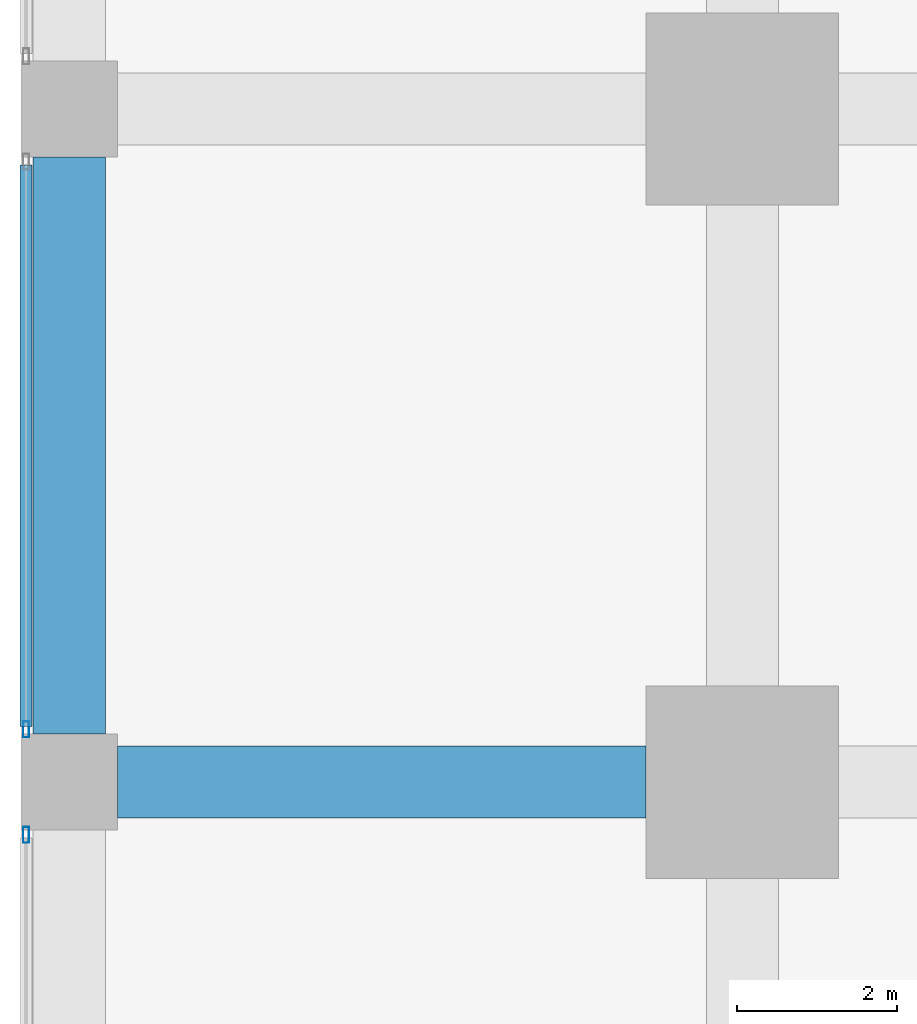
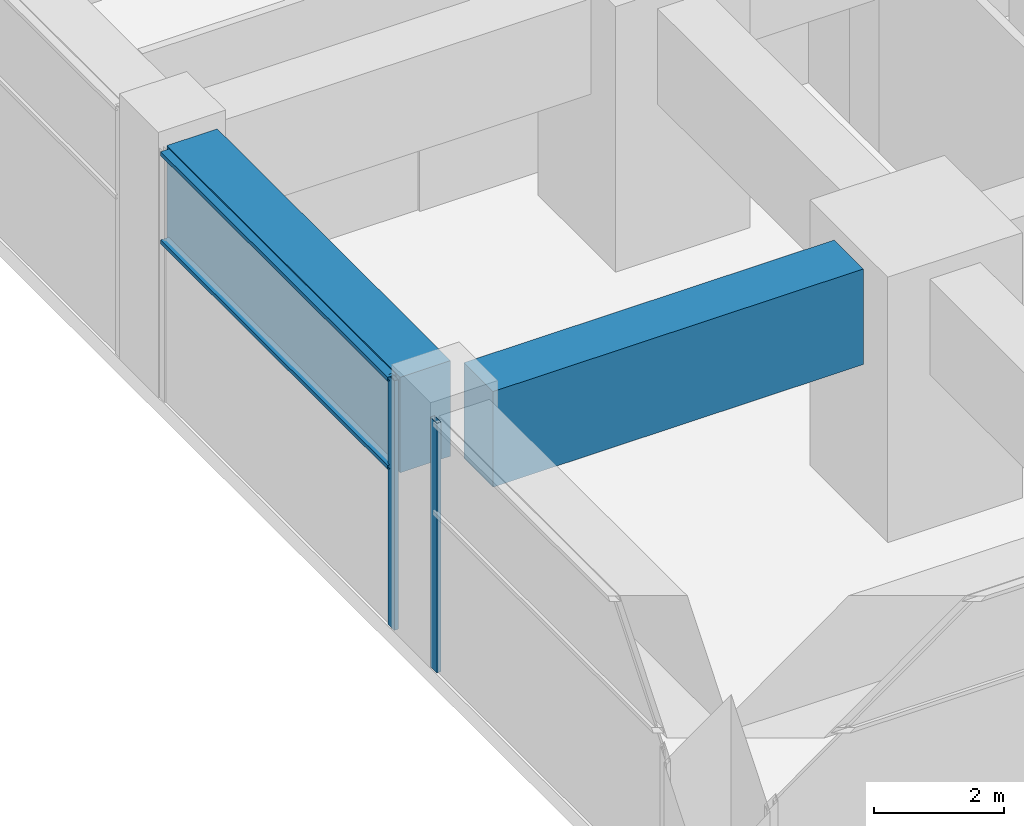
# One storey, part 5 of 49: 4 members, 2 beams, 2 elements without a shape of their own.
"""IFC4 building model written with IfcOpenShell, lengths in metres."""

from ifc_helpers import new_model, si_unit, direction, frame, origin, origin_2d, place, context, subcontext, project, spatial, rectangle, hollow_rectangle, extrude, material, material_profile, profile_set, type_object, element, aggregate, save


model = new_model("IFC4")

# Units and contexts
model_context = context("Model", 3, precision=1e-05, world=origin(), true_north=direction((0.0, 1.0)))
body_context = subcontext(model_context, "Body", "Model", "MODEL_VIEW")
ifc_project = project(units=[si_unit("LENGTHUNIT", "METRE"), si_unit("AREAUNIT", "SQUARE_METRE"), si_unit("VOLUMEUNIT", "CUBIC_METRE"), si_unit("PLANEANGLEUNIT", "RADIAN"), si_unit("MASSUNIT", "GRAM", prefix="KILO")], contexts=[model_context])

# Site, building, storey
site_placement = place(None, origin())
site = spatial("IfcSite", under=ifc_project, at=site_placement, CompositionType="ELEMENT")
building_placement = place(site_placement, origin())
building = spatial("IfcBuilding", under=site, at=building_placement, Name="Rekha Terrace Tower", CompositionType="ELEMENT")
storey_placement = place(building_placement, frame((0.0, 0.0, 5.39990234375)))
storey = spatial("IfcBuildingStorey", under=building, at=storey_placement, Name="L01", CompositionType="ELEMENT", Elevation=5.39990234375)

# Curtain wall, member
ifc_material_1 = material(Name="Aluminium framing", Category="aluminium")
curtain_wall_type = type_object("IfcCurtainWallType", Name="CW4 podium shopfront glazing", PredefinedType="USERDEFINED", material=ifc_material_1)
curtain_wall_1_placement = place(storey_placement, origin())
curtain_wall_1 = element("IfcCurtainWall", 1, at=curtain_wall_1_placement, inside=storey, type_object=curtain_wall_type, Name="CW4 shopfront curtain wall", ObjectType="SHOPFRONT CURTAIN WALL", PredefinedType="USERDEFINED")
ifc_material_2 = material(Name="Aluminium mullion section", Category="aluminium")
ifc_material_profile_1 = material_profile(ifc_material_2, hollow_rectangle(XDim=0.074951171875, YDim=0.199951171875, WallThickness=0.00390625, at=origin_2d()), Name="AL RHS 75x200")
ifc_profile_set_1 = profile_set([ifc_material_profile_1], Name="Aluminium mullion section")
member_type_1 = type_object("IfcMemberType", Name="CW4 mullion RHS 75 x 200", PredefinedType="MULLION", material=ifc_profile_set_1)
member_1_placement = place(storey_placement, frame((-0.5400390625, 9.0576171875, 0.0), z_axis=(0.0, 0.0, 1.0), x_axis=(1.0, 0.0, 0.0)))
member_1 = element("IfcMember", 2, at=member_1_placement, type_object=member_type_1, Name="CW4 mullion 2", PredefinedType="MULLION", context=body_context, shape_type="SweptSolid", body=[
    extrude(hollow_rectangle(XDim=0.074951171875, YDim=0.199951171875, WallThickness=0.00390625, at=origin_2d()), origin(), (0.0, 0.0, 1.0), 4.7001953125),
])

curtain_wall_2_placement = place(storey_placement, origin())
curtain_wall_2 = element("IfcCurtainWall", 3, at=curtain_wall_2_placement, inside=storey, type_object=curtain_wall_type, Name="CW4 shopfront curtain wall", ObjectType="SHOPFRONT CURTAIN WALL", PredefinedType="USERDEFINED")
member_2_placement = place(storey_placement, frame((-0.5400390625, 7.742431640625, 0.0), z_axis=(0.0, 0.0, 1.0), x_axis=(1.0, 0.0, 0.0)))
member_2 = element("IfcMember", 4, at=member_2_placement, type_object=member_type_1, Name="CW4 mullion 1", PredefinedType="MULLION", context=body_context, shape_type="SweptSolid", body=[
    extrude(hollow_rectangle(XDim=0.074951171875, YDim=0.199951171875, WallThickness=0.00390625, at=origin_2d()), origin(), (0.0, 0.0, 1.0), 4.7001953125),
])
aggregate(curtain_wall_2, [member_2])

# Member
ifc_material_3 = material(Name="Aluminium transom section", Category="aluminium")
ifc_material_profile_2 = material_profile(ifc_material_3, hollow_rectangle(XDim=0.14990234375, YDim=0.074951171875, WallThickness=0.0029296875, at=origin_2d()), Name="AL RHS 150x75")
ifc_profile_set_2 = profile_set([ifc_material_profile_2], Name="Aluminium transom section")
member_type_2 = type_object("IfcMemberType", Name="CW4 transom RHS 75 x 150", PredefinedType="USERDEFINED", material=ifc_profile_set_2)
member_3_placement = place(storey_placement, frame((-0.5400390625, 16.10498046875, 3.0), z_axis=(0.0, -1.0, 0.0), x_axis=(1.0, 0.0, 0.0)))
member_3 = element("IfcMember", 5, at=member_3_placement, type_object=member_type_2, Name="CW4 transom 1.2", ObjectType="TRANSOM", PredefinedType="USERDEFINED", context=body_context, shape_type="SweptSolid", body=[
    extrude(hollow_rectangle(XDim=0.14990234375, YDim=0.074951171875, WallThickness=0.0029296875, at=origin_2d()), origin(), (0.0, 0.0, 1.0), 7.010009765625),
])

member_4_placement = place(storey_placement, frame((-0.5400390625, 16.10498046875, 4.66259765625), z_axis=(0.0, -1.0, 0.0), x_axis=(1.0, 0.0, 0.0)))
member_4 = element("IfcMember", 6, at=member_4_placement, type_object=member_type_2, Name="CW4 transom 1.3", ObjectType="TRANSOM", PredefinedType="USERDEFINED", context=body_context, shape_type="SweptSolid", body=[
    extrude(hollow_rectangle(XDim=0.14990234375, YDim=0.074951171875, WallThickness=0.0029296875, at=origin_2d()), origin(), (0.0, 0.0, 1.0), 7.010009765625),
])

aggregate(curtain_wall_1, [member_1, member_3, member_4])

# Beams
ifc_material_4 = material(Name="Concrete M60", Category="concrete")
ifc_material_profile_3 = material_profile(ifc_material_4, rectangle(XDim=0.89990234375, YDim=1.800048828125, at=origin_2d()), Name="RC 900x1800")
ifc_profile_set_3 = profile_set([ifc_material_profile_3], Name="Concrete M60")
beam_type = type_object("IfcBeamType", Name="G1 900x1800 podium floor beam", PredefinedType="BEAM", material=ifc_profile_set_3)
beam_1_placement = place(storey_placement, frame((0.60009765625, 8.39990234375, 3.800048828125), z_axis=(1.0, 0.0, 0.0), x_axis=(0.0, 1.0, 0.0)))
element("IfcBeam", 7, at=beam_1_placement, inside=storey, type_object=beam_type, Name="Beam G1 1B-2B under L02", PredefinedType="BEAM", context=body_context, shape_type="SweptSolid", body=[
    extrude(rectangle(XDim=0.89990234375, YDim=1.800048828125, at=origin_2d()), origin(), (0.0, 0.0, 1.0), 6.599853515625),
])
beam_2_placement = place(storey_placement, frame((0.0, 9.0, 3.800048828125), z_axis=(0.0, 1.0, 0.0), x_axis=(-1.0, 0.0, 0.0)))
element("IfcBeam", 8, at=beam_2_placement, inside=storey, type_object=beam_type, Name="Beam G1 1B-1C under L02", PredefinedType="BEAM", context=body_context, shape_type="SweptSolid", body=[
    extrude(rectangle(XDim=0.89990234375, YDim=1.800048828125, at=origin_2d()), origin(), (0.0, 0.0, 1.0), 7.199951171875),
])

save(model, "model.ifc")
